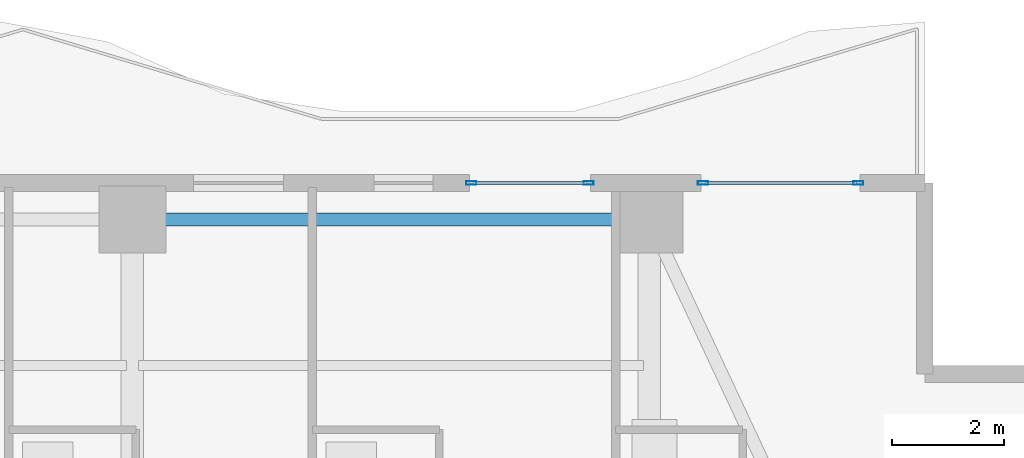
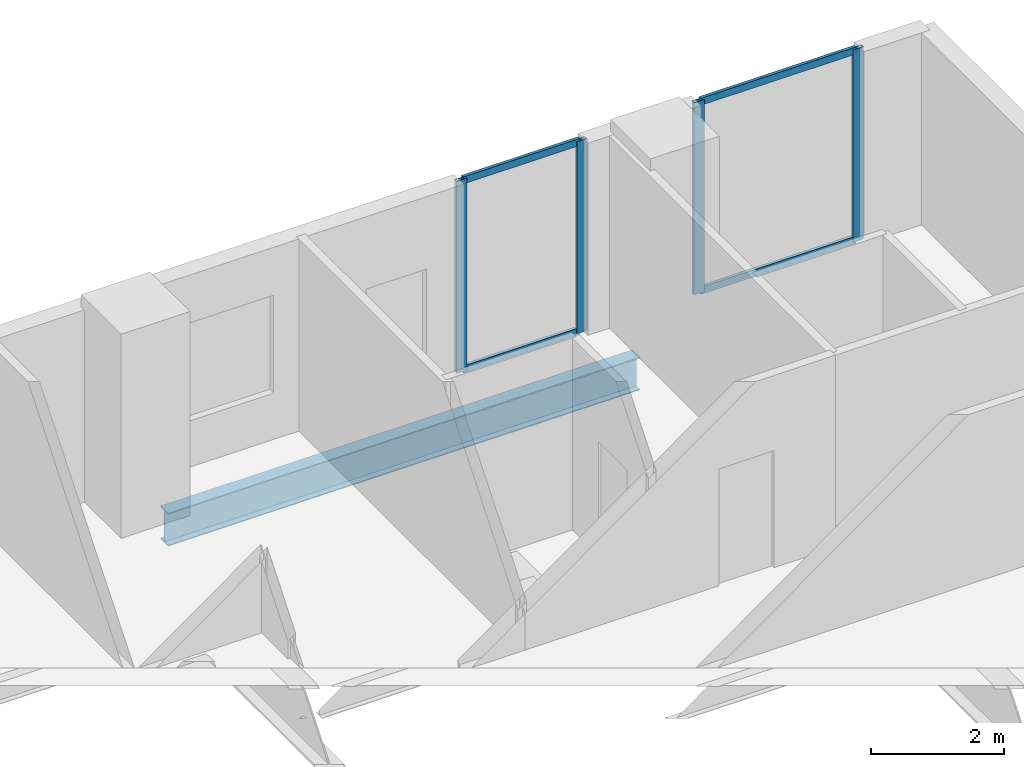
# One storey, part 22 of 32: 8 members, 1 beam, 2 elements without a shape of their own.
"""IFC4 building model written with IfcOpenShell, lengths in metres."""

from ifc_helpers import new_model, si_unit, direction, frame, origin, origin_2d, place, context, subcontext, project, spatial, hollow_rectangle, i_section, extrude, material, layer, layer_set, material_profile, profile_set, type_object, element, aggregate, save


model = new_model("IFC4")

# Units and contexts
model_context = context("Model", 3, precision=1e-05, world=origin(), true_north=direction((0.0, 1.0)))
body_context = subcontext(model_context, "Body", "Model", "MODEL_VIEW")
ifc_project = project(units=[si_unit("LENGTHUNIT", "METRE"), si_unit("AREAUNIT", "SQUARE_METRE"), si_unit("VOLUMEUNIT", "CUBIC_METRE"), si_unit("PLANEANGLEUNIT", "RADIAN"), si_unit("MASSUNIT", "GRAM", prefix="KILO")], contexts=[model_context])

# Site, building, storey
site_placement = place(None, origin())
site = spatial("IfcSite", under=ifc_project, at=site_placement, CompositionType="ELEMENT")
building_placement = place(site_placement, origin())
building = spatial("IfcBuilding", under=site, at=building_placement, Name="Zuhayl Quay Hotel", CompositionType="ELEMENT")
storey_placement = place(building_placement, frame((0.0, 0.0, 203.64990234375)))
storey = spatial("IfcBuildingStorey", under=building, at=storey_placement, Name="L51", CompositionType="ELEMENT", Elevation=203.64990234375)

# Beam
ifc_material_1 = material(Name="Steel ASTM A992 Grade 50", Category="steel")
ifc_material_profile_1 = material_profile(ifc_material_1, i_section(OverallWidth=0.22802734375, OverallDepth=0.60693359375, WebThickness=0.01123046875, FlangeThickness=0.017333984375, at=origin_2d()), Name="W24X76")
ifc_profile_set_1 = profile_set([ifc_material_profile_1], Name="Steel ASTM A992 Grade 50")
beam_type = type_object("IfcBeamType", Name="BM_B3_W24X76", PredefinedType="BEAM", material=ifc_profile_set_1)
beam_placement = place(storey_placement, frame((13.300048828125, 32.949951171875, -0.5234375), z_axis=(-1.0, 0.0, 0.0), x_axis=(0.0, -1.0, 0.0)))
element("IfcBeam", 1, at=beam_placement, inside=storey, type_object=beam_type, Name="L51 Floor Beam RG_L51_07", PredefinedType="BEAM", context=body_context, shape_type="SweptSolid", body=[
    extrude(i_section(OverallWidth=0.22802734375, OverallDepth=0.60693359375, WebThickness=0.01123046875, FlangeThickness=0.017333984375, at=origin_2d()), origin(), (0.0, 0.0, 1.0), 8.199951171875),
])

# Curtain wall, members
ifc_material_2 = material(Name="Anodised Aluminium 6063-T6", Category="aluminium")
ifc_layer = layer(ifc_material_2, 0.175048828125, Name="Anodised Aluminium 6063-T6", Category="aluminium")
ifc_layer_set = layer_set([ifc_layer], Name="Anodised Aluminium 6063-T6")
curtain_wall_type = type_object("IfcCurtainWallType", Name="CW_SYS_Z3", PredefinedType="USERDEFINED", material=ifc_layer_set)
curtain_wall_1_placement = place(storey_placement, origin())
curtain_wall_1 = element("IfcCurtainWall", 2, at=curtain_wall_1_placement, inside=storey, type_object=curtain_wall_type, Name="L51 Curtain Wall ENV_L51_N_CW3", ObjectType="UNITISED CURTAIN WALL", PredefinedType="USERDEFINED")
ifc_material_3 = material(Name="Black-anodised aluminium 6063-T6", Category="aluminium")
ifc_material_profile_2 = material_profile(ifc_material_3, hollow_rectangle(XDim=0.06494140625, YDim=0.179931640625, WallThickness=0.00341796875, at=origin_2d()), Name="ALU180X65")
ifc_profile_set_2 = profile_set([ifc_material_profile_2], Name="Black-anodised aluminium 6063-T6")
member_type_1 = type_object("IfcMemberType", Name="MB_CW_MUL_180", PredefinedType="MULLION", material=ifc_profile_set_2)
member_1_placement = place(storey_placement, frame((10.62744140625, 33.60009765625, 0.0), z_axis=(0.0, 0.0, 1.0), x_axis=(0.0, 1.0, 0.0)))
member_1 = element("IfcMember", 3, at=member_1_placement, type_object=member_type_1, Name="CW-Z3 mullion 1", PredefinedType="MULLION", context=body_context, shape_type="SweptSolid", body=[
    extrude(hollow_rectangle(XDim=0.06494140625, YDim=0.179931640625, WallThickness=0.00341796875, at=origin_2d()), origin(), (0.0, 0.0, 1.0), 3.530029296875),
])
member_2_placement = place(storey_placement, frame((12.717529296875, 33.60009765625, 0.0), z_axis=(0.0, 0.0, 1.0), x_axis=(0.0, 1.0, 0.0)))
member_2 = element("IfcMember", 4, at=member_2_placement, type_object=member_type_1, Name="CW-Z3 mullion 2", PredefinedType="MULLION", context=body_context, shape_type="SweptSolid", body=[
    extrude(hollow_rectangle(XDim=0.06494140625, YDim=0.179931640625, WallThickness=0.00341796875, at=origin_2d()), origin(), (0.0, 0.0, 1.0), 3.530029296875),
])

curtain_wall_2_placement = place(storey_placement, origin())
curtain_wall_2 = element("IfcCurtainWall", 5, at=curtain_wall_2_placement, inside=storey, type_object=curtain_wall_type, Name="L51 Curtain Wall ENV_L51_N_CW4", ObjectType="UNITISED CURTAIN WALL", PredefinedType="USERDEFINED")
member_3_placement = place(storey_placement, frame((14.75244140625, 33.60009765625, 0.0), z_axis=(0.0, 0.0, 1.0), x_axis=(0.0, 1.0, 0.0)))
member_3 = element("IfcMember", 6, at=member_3_placement, type_object=member_type_1, Name="CW-Z3 mullion 1", PredefinedType="MULLION", context=body_context, shape_type="SweptSolid", body=[
    extrude(hollow_rectangle(XDim=0.06494140625, YDim=0.179931640625, WallThickness=0.00341796875, at=origin_2d()), origin(), (0.0, 0.0, 1.0), 3.530029296875),
])
member_4_placement = place(storey_placement, frame((17.517578125, 33.60009765625, 0.0), z_axis=(0.0, 0.0, 1.0), x_axis=(0.0, 1.0, 0.0)))
member_4 = element("IfcMember", 7, at=member_4_placement, type_object=member_type_1, Name="CW-Z3 mullion 2", PredefinedType="MULLION", context=body_context, shape_type="SweptSolid", body=[
    extrude(hollow_rectangle(XDim=0.06494140625, YDim=0.179931640625, WallThickness=0.00341796875, at=origin_2d()), origin(), (0.0, 0.0, 1.0), 3.530029296875),
])

# Member
ifc_material_profile_3 = material_profile(ifc_material_3, hollow_rectangle(XDim=0.054931640625, YDim=0.1298828125, WallThickness=0.0029296875, at=origin_2d()), Name="ALU130X55")
ifc_profile_set_3 = profile_set([ifc_material_profile_3], Name="Black-anodised aluminium 6063-T6")
member_type_2 = type_object("IfcMemberType", Name="MB_CW_TRN_130", PredefinedType="USERDEFINED", material=ifc_profile_set_3)
member_5_placement = place(storey_placement, frame((10.659912109375, 33.60009765625, 0.027587890625), z_axis=(1.0, 0.0, 0.0), x_axis=(0.0, 1.0, 0.0)))
member_5 = element("IfcMember", 8, at=member_5_placement, type_object=member_type_2, Name="CW-Z3 transom 1.1", ObjectType="TRANSOM", PredefinedType="USERDEFINED", context=body_context, shape_type="SweptSolid", body=[
    extrude(hollow_rectangle(XDim=0.054931640625, YDim=0.1298828125, WallThickness=0.0029296875, at=origin_2d()), origin(), (0.0, 0.0, 1.0), 2.025146484375),
])

member_6_placement = place(storey_placement, frame((10.659912109375, 33.60009765625, 3.502685546875), z_axis=(1.0, 0.0, 0.0), x_axis=(0.0, 1.0, 0.0)))
member_6 = element("IfcMember", 9, at=member_6_placement, type_object=member_type_2, Name="CW-Z3 transom 1.2", ObjectType="TRANSOM", PredefinedType="USERDEFINED", context=body_context, shape_type="SweptSolid", body=[
    extrude(hollow_rectangle(XDim=0.054931640625, YDim=0.1298828125, WallThickness=0.0029296875, at=origin_2d()), origin(), (0.0, 0.0, 1.0), 2.025146484375),
])

aggregate(curtain_wall_1, [member_1, member_2, member_5, member_6])

member_7_placement = place(storey_placement, frame((14.784912109375, 33.60009765625, 0.027587890625), z_axis=(1.0, 0.0, 0.0), x_axis=(0.0, 1.0, 0.0)))
member_7 = element("IfcMember", 10, at=member_7_placement, type_object=member_type_2, Name="CW-Z3 transom 1.1", ObjectType="TRANSOM", PredefinedType="USERDEFINED", context=body_context, shape_type="SweptSolid", body=[
    extrude(hollow_rectangle(XDim=0.054931640625, YDim=0.1298828125, WallThickness=0.0029296875, at=origin_2d()), origin(), (0.0, 0.0, 1.0), 2.7001953125),
])

member_8_placement = place(storey_placement, frame((14.784912109375, 33.60009765625, 3.502685546875), z_axis=(1.0, 0.0, 0.0), x_axis=(0.0, 1.0, 0.0)))
member_8 = element("IfcMember", 11, at=member_8_placement, type_object=member_type_2, Name="CW-Z3 transom 1.2", ObjectType="TRANSOM", PredefinedType="USERDEFINED", context=body_context, shape_type="SweptSolid", body=[
    extrude(hollow_rectangle(XDim=0.054931640625, YDim=0.1298828125, WallThickness=0.0029296875, at=origin_2d()), origin(), (0.0, 0.0, 1.0), 2.7001953125),
])

aggregate(curtain_wall_2, [member_3, member_4, member_7, member_8])

save(model, "model.ifc")
